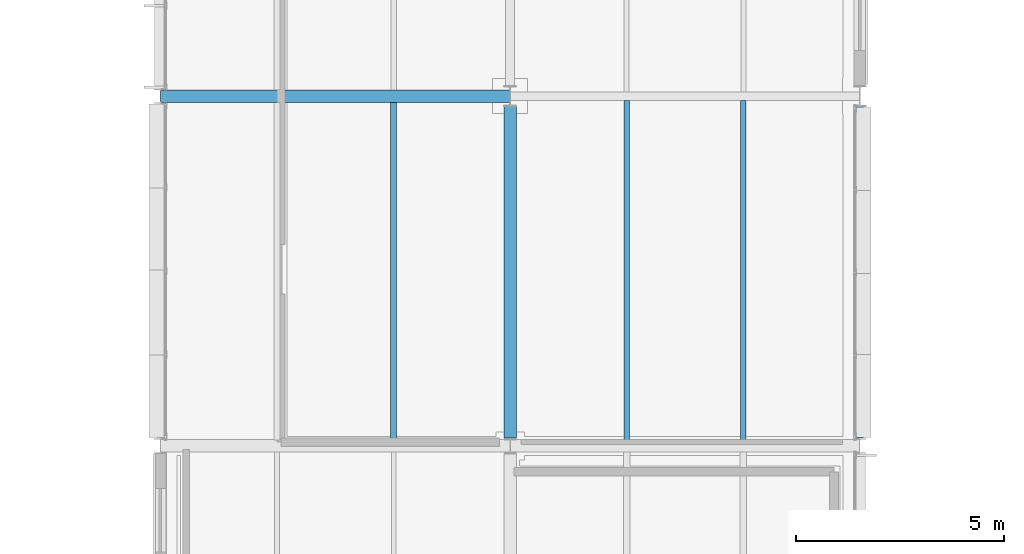
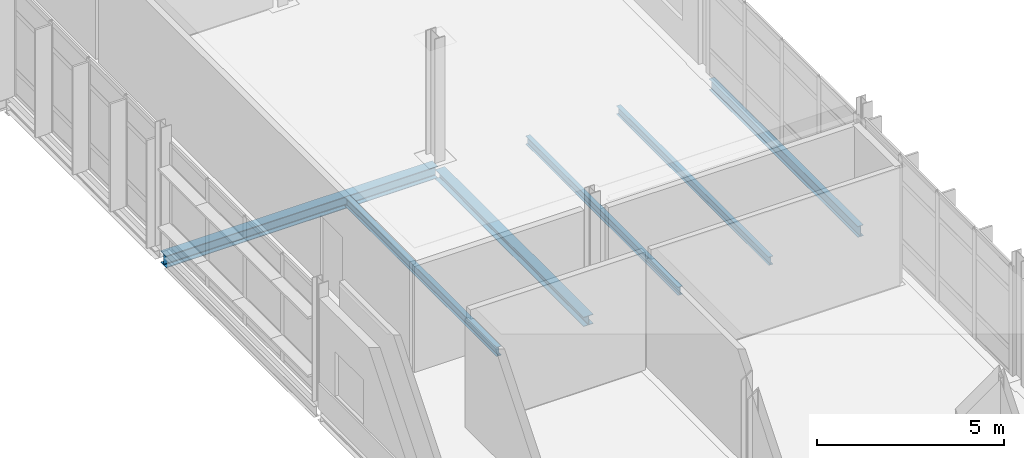
# One storey, part 73 of 131: 6 beams.
"""IFC4 building model written with IfcOpenShell, lengths in metres."""

from ifc_helpers import new_model, si_unit, direction, frame, origin, origin_2d, place, context, subcontext, project, spatial, i_section, extrude, material, material_profile, profile_set, type_object, element, save


model = new_model("IFC4")

# Units and contexts
model_context = context("Model", 3, precision=1e-05, world=origin(), true_north=direction((0.0, 1.0)))
body_context = subcontext(model_context, "Body", "Model", "MODEL_VIEW")
ifc_project = project(units=[si_unit("LENGTHUNIT", "METRE"), si_unit("AREAUNIT", "SQUARE_METRE"), si_unit("VOLUMEUNIT", "CUBIC_METRE"), si_unit("PLANEANGLEUNIT", "RADIAN"), si_unit("MASSUNIT", "GRAM", prefix="KILO")], contexts=[model_context])

# Site, building, storey
site_placement = place(None, origin())
site = spatial("IfcSite", under=ifc_project, at=site_placement, CompositionType="ELEMENT")
building_placement = place(site_placement, origin())
building = spatial("IfcBuilding", under=site, at=building_placement, Name="Mersafa Astral City Hall", CompositionType="ELEMENT")
storey_placement = place(building_placement, frame((0.0, 0.0, 13.949951171875)))
storey = spatial("IfcBuildingStorey", under=building, at=storey_placement, Name="L03", CompositionType="ELEMENT", Elevation=13.949951171875)

# Beams
ifc_material = material(Name="Steel S355", Category="steel")
ifc_material_profile_1 = material_profile(ifc_material, i_section(OverallWidth=0.300048828125, OverallDepth=0.31005859375, WebThickness=0.009033203125, FlangeThickness=0.015380859375, FilletRadius=0.027099609375, at=origin_2d()), Name="HEA 320")
ifc_profile_set_1 = profile_set([ifc_material_profile_1], Name="Steel S355")
beam_type_1 = type_object("IfcBeamType", Name="STR-BM-HEA320", PredefinedType="BEAM", material=ifc_profile_set_1)
beam_1_placement = place(storey_placement, frame((109.199951171875, 100.9951171875, -0.35498046875), z_axis=(0.0, 1.0, 0.0), x_axis=(-1.0, 0.0, 0.0)))
element("IfcBeam", 1, at=beam_1_placement, inside=storey, type_object=beam_type_1, Name="L03 Primary girder Y 13-12", PredefinedType="BEAM", context=body_context, shape_type="SweptSolid", body=[
    extrude(i_section(OverallWidth=0.300048828125, OverallDepth=0.31005859375, WebThickness=0.009033203125, FlangeThickness=0.015380859375, FilletRadius=0.027099609375, at=origin_2d()), origin(), (0.0, 0.0, 1.0), 7.9599609375),
])
ifc_material_profile_2 = material_profile(ifc_material, i_section(OverallWidth=0.300048828125, OverallDepth=0.389892578125, WebThickness=0.010986328125, FlangeThickness=0.01904296875, FilletRadius=0.027099609375, at=origin_2d()), Name="HEA 400")
ifc_profile_set_2 = profile_set([ifc_material_profile_2], Name="Steel S355")
beam_type_2 = type_object("IfcBeamType", Name="STR-BM-HEA400", PredefinedType="BEAM", material=ifc_profile_set_2)
beam_2_placement = place(storey_placement, frame((100.802978515625, 109.199951171875, -0.39501953125), z_axis=(1.0, 0.0, 0.0), x_axis=(0.0, 1.0, 0.0)))
element("IfcBeam", 2, at=beam_2_placement, inside=storey, type_object=beam_type_2, Name="L03 Primary girder X 12-13", PredefinedType="BEAM", context=body_context, shape_type="SweptSolid", body=[
    extrude(i_section(OverallWidth=0.300048828125, OverallDepth=0.389892578125, WebThickness=0.010986328125, FlangeThickness=0.01904296875, FilletRadius=0.027099609375, at=origin_2d()), origin(), (0.0, 0.0, 1.0), 8.39404296875),
])
ifc_material_profile_3 = material_profile(ifc_material, i_section(OverallWidth=0.135009765625, OverallDepth=0.27001953125, WebThickness=0.006591796875, FlangeThickness=0.01025390625, FilletRadius=0.014892578125, at=origin_2d()), Name="IPE 270")
ifc_profile_set_3 = profile_set([ifc_material_profile_3], Name="Steel S355")
beam_type_3 = type_object("IfcBeamType", Name="STR-BM-JOIST-IPE270", PredefinedType="JOIST", material=ifc_profile_set_3)
for number, where, z_axis, x_axis, name in (
    (3, (112.0, 100.945068359375, -0.3349609375), (0.0, 1.0, 0.0), (-1.0, 0.0, 0.0), "L03 Composite secondary floor joist 624"),
    (4, (114.800048828125, 100.945068359375, -0.3349609375), (0.0, 1.0, 0.0), (-1.0, 0.0, 0.0), "L03 Composite secondary floor joist 625"),
):
    element("IfcBeam", number, at=place(storey_placement, frame(where, z_axis=z_axis, x_axis=x_axis)), inside=storey, type_object=beam_type_3, Name=name, PredefinedType="JOIST", context=body_context, shape_type="SweptSolid", body=[
        extrude(i_section(OverallWidth=0.135009765625, OverallDepth=0.27001953125, WebThickness=0.006591796875, FlangeThickness=0.01025390625, FilletRadius=0.014892578125, at=origin_2d()), origin(), (0.0, 0.0, 1.0), 8.155029296875),
    ])
ifc_material_profile_4 = material_profile(ifc_material, i_section(OverallWidth=0.14990234375, OverallDepth=0.300048828125, WebThickness=0.007080078125, FlangeThickness=0.0107421875, FilletRadius=0.014892578125, at=origin_2d()), Name="IPE 300")
ifc_profile_set_4 = profile_set([ifc_material_profile_4], Name="Steel S355")
beam_type_4 = type_object("IfcBeamType", Name="STR-BM-JOIST-IPE300", PredefinedType="JOIST", material=ifc_profile_set_4)
beam_3_placement = place(storey_placement, frame((106.39990234375, 100.945068359375, -0.349853515625), z_axis=(0.0, 1.0, 0.0), x_axis=(-1.0, 0.0, 0.0)))
element("IfcBeam", 5, at=beam_3_placement, inside=storey, type_object=beam_type_4, Name="L03 Composite secondary floor joist 601", PredefinedType="JOIST", context=body_context, shape_type="SweptSolid", body=[
    extrude(i_section(OverallWidth=0.14990234375, OverallDepth=0.300048828125, WebThickness=0.007080078125, FlangeThickness=0.0107421875, FilletRadius=0.014892578125, at=origin_2d()), origin(), (0.0, 0.0, 1.0), 8.10986328125),
])
ifc_material_profile_5 = material_profile(ifc_material, i_section(OverallWidth=0.169921875, OverallDepth=0.360107421875, WebThickness=0.008056640625, FlangeThickness=0.0126953125, FilletRadius=0.01806640625, at=origin_2d()), Name="IPE 360")
ifc_profile_set_5 = profile_set([ifc_material_profile_5], Name="Steel S355")
beam_type_5 = type_object("IfcBeamType", Name="STR-BM-SPANDREL-IPE360", PredefinedType="SPANDREL", material=ifc_profile_set_5)
beam_4_placement = place(storey_placement, frame((117.60009765625, 100.9951171875, -0.3798828125), z_axis=(0.0, 1.0, 0.0), x_axis=(-1.0, 0.0, 0.0)))
element("IfcBeam", 6, at=beam_4_placement, inside=storey, type_object=beam_type_5, Name="L03 Primary girder Y 14-12", PredefinedType="SPANDREL", context=body_context, shape_type="SweptSolid", body=[
    extrude(i_section(OverallWidth=0.169921875, OverallDepth=0.360107421875, WebThickness=0.008056640625, FlangeThickness=0.0126953125, FilletRadius=0.01806640625, at=origin_2d()), origin(), (0.0, 0.0, 1.0), 7.9599609375),
])

save(model, "model.ifc")
